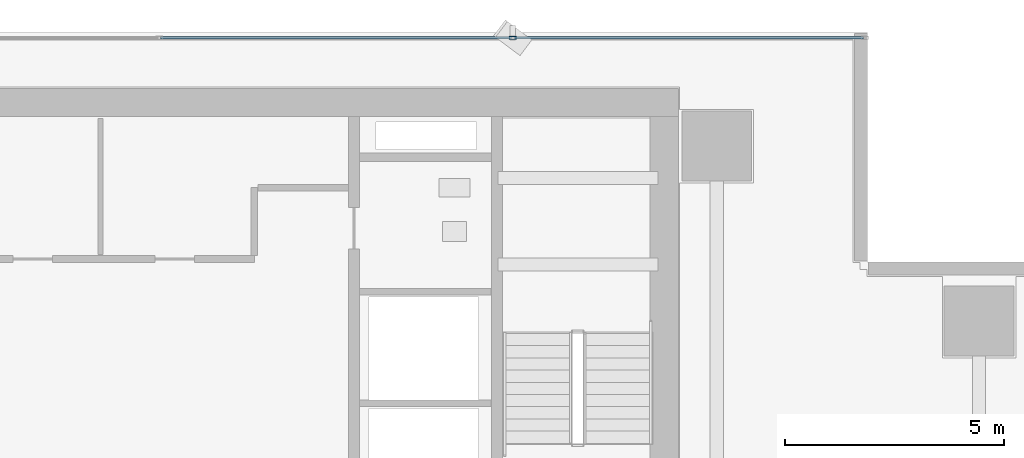
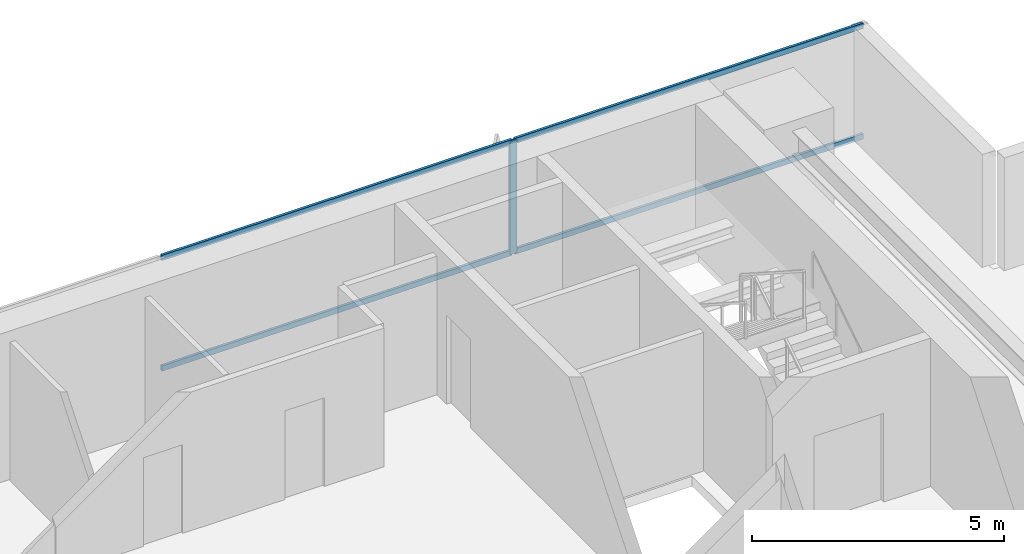
# One storey, part 25 of 36: 5 members, 1 element without a shape of its own.
"""IFC4 building model written with IfcOpenShell, lengths in metres."""

from ifc_helpers import new_model, si_unit, direction, frame, origin, origin_2d, place, context, subcontext, project, spatial, hollow_rectangle, extrude, source, transform, mapped, material, layer, layer_set, material_profile, profile_set, type_object, element, aggregate, save


model = new_model("IFC4")

# Units and contexts
model_context = context("Model", 3, precision=1e-05, world=origin(), true_north=direction((0.0, 1.0)))
body_context = subcontext(model_context, "Body", "Model", "MODEL_VIEW")
ifc_project = project(units=[si_unit("LENGTHUNIT", "METRE"), si_unit("AREAUNIT", "SQUARE_METRE"), si_unit("VOLUMEUNIT", "CUBIC_METRE"), si_unit("PLANEANGLEUNIT", "RADIAN"), si_unit("MASSUNIT", "GRAM", prefix="KILO")], contexts=[model_context])

# Site, building, storey
site_placement = place(None, origin())
site = spatial("IfcSite", under=ifc_project, at=site_placement, CompositionType="ELEMENT")
building_placement = place(site_placement, origin())
building = spatial("IfcBuilding", under=site, at=building_placement, Name="Sumidabori Civic Tower", CompositionType="ELEMENT")
storey_placement = place(building_placement, frame((0.0, 0.0, 92.0)))
storey = spatial("IfcBuildingStorey", under=building, at=storey_placement, Name="L23", CompositionType="ELEMENT", Elevation=92.0)

# Curtain wall, members
ifc_material = material(Name="Anodised Bronze Aluminium AW-6063-T6", Category="aluminium")
ifc_layer = layer(ifc_material, 0.179931640625, Name="Anodised Bronze Aluminium AW-6063-T6")
ifc_layer_set = layer_set([ifc_layer], Name="Anodised Bronze Aluminium AW-6063-T6")
curtain_wall_type = type_object("IfcCurtainWallType", Name="CW-SYS-3", PredefinedType="NOTDEFINED", material=ifc_layer_set)
curtain_wall_placement = place(storey_placement, origin())
curtain_wall = element("IfcCurtainWall", 1, at=curtain_wall_placement, inside=storey, type_object=curtain_wall_type, Name="Curtain Wall CW:L23:R07", PredefinedType="NOTDEFINED")
ifc_material_profile_1 = material_profile(ifc_material, hollow_rectangle(XDim=0.06494140625, YDim=0.159912109375, WallThickness=0.0048828125, at=origin_2d()), Name="ALU MULLION 160x65")
ifc_profile_set_1 = profile_set([ifc_material_profile_1], Name="Anodised Bronze Aluminium AW-6063-T6")
member_type_1 = type_object("IfcMemberType", Name="CW-MUL-160", PredefinedType="MULLION", material=ifc_profile_set_1)
shared_shape_1 = source(origin(), body_context, "Body", "SweptSolid", [
    extrude(hollow_rectangle(XDim=0.06494140625, YDim=0.159912109375, WallThickness=0.0048828125, at=origin_2d()), origin(), (0.0, 0.0, 1.0), 2.739990234375),
])
member_1_placement = place(storey_placement, frame((12.132080078125, 25.280029296875, 0.0), z_axis=(0.0, 0.0, 1.0), x_axis=(0.0, -1.0, 0.0)))
member_1 = element("IfcMember", 2, at=member_1_placement, type_object=member_type_1, Name="CW-3 mullion 2", PredefinedType="MULLION", context=body_context, shape_type="MappedRepresentation", body=[
    mapped(shared_shape_1, transform((0.0, 0.0, 0.0), x_axis=(1.0, 0.0, 0.0), y_axis=(0.0, 1.0, 0.0), z_axis=(0.0, 0.0, 1.0), scale=1.0)),
])
ifc_material_profile_2 = material_profile(ifc_material, hollow_rectangle(XDim=0.06005859375, YDim=0.1298828125, WallThickness=0.0048828125, at=origin_2d()), Name="ALU TRANSOM 130x60")
ifc_profile_set_2 = profile_set([ifc_material_profile_2], Name="Anodised Bronze Aluminium AW-6063-T6")
member_type_2 = type_object("IfcMemberType", Name="CW-TRN-130", PredefinedType="USERDEFINED", material=ifc_profile_set_2)
shared_shape_2 = source(origin(), body_context, "Body", "SweptSolid", [
    extrude(hollow_rectangle(XDim=0.06005859375, YDim=0.1298828125, WallThickness=0.0048828125, at=origin_2d()), origin(), (0.0, 0.0, 1.0), 7.990478515625),
])
member_2_placement = place(storey_placement, frame((20.155029296875, 25.280029296875, 0.030029296875), z_axis=(-1.0, 0.0, 0.0), x_axis=(0.0, -1.0, 0.0)))
member_2 = element("IfcMember", 3, at=member_2_placement, type_object=member_type_2, Name="CW-3 transom 1.1", ObjectType="TRANSOM", PredefinedType="USERDEFINED", context=body_context, shape_type="MappedRepresentation", body=[
    mapped(shared_shape_2, transform((0.0, 0.0, 0.0), x_axis=(1.0, 0.0, 0.0), y_axis=(0.0, 1.0, 0.0), z_axis=(0.0, 0.0, 1.0), scale=1.0)),
])
member_3_placement = place(storey_placement, frame((20.155029296875, 25.280029296875, 2.7099609375), z_axis=(-1.0, 0.0, 0.0), x_axis=(0.0, -1.0, 0.0)))
member_3 = element("IfcMember", 4, at=member_3_placement, type_object=member_type_2, Name="CW-3 transom 1.2", ObjectType="TRANSOM", PredefinedType="USERDEFINED", context=body_context, shape_type="MappedRepresentation", body=[
    mapped(shared_shape_2, transform((0.0, 0.0, 0.0), x_axis=(1.0, 0.0, 0.0), y_axis=(0.0, 1.0, 0.0), z_axis=(0.0, 0.0, 1.0), scale=1.0)),
])
shared_shape_3 = source(origin(), body_context, "Body", "SweptSolid", [
    extrude(hollow_rectangle(XDim=0.06005859375, YDim=0.1298828125, WallThickness=0.0048828125, at=origin_2d()), origin(), (0.0, 0.0, 1.0), 8.023193359375),
])
member_4_placement = place(storey_placement, frame((12.099609375, 25.280029296875, 0.030029296875), z_axis=(-1.0, 0.0, 0.0), x_axis=(0.0, -1.0, 0.0)))
member_4 = element("IfcMember", 5, at=member_4_placement, type_object=member_type_2, Name="CW-3 transom 2.1", ObjectType="TRANSOM", PredefinedType="USERDEFINED", context=body_context, shape_type="MappedRepresentation", body=[
    mapped(shared_shape_3, transform((0.0, 0.0, 0.0), x_axis=(1.0, 0.0, 0.0), y_axis=(0.0, 1.0, 0.0), z_axis=(0.0, 0.0, 1.0), scale=1.0)),
])
member_5_placement = place(storey_placement, frame((12.099609375, 25.280029296875, 2.7099609375), z_axis=(-1.0, 0.0, 0.0), x_axis=(0.0, -1.0, 0.0)))
member_5 = element("IfcMember", 6, at=member_5_placement, type_object=member_type_2, Name="CW-3 transom 2.2", ObjectType="TRANSOM", PredefinedType="USERDEFINED", context=body_context, shape_type="MappedRepresentation", body=[
    mapped(shared_shape_3, transform((0.0, 0.0, 0.0), x_axis=(1.0, 0.0, 0.0), y_axis=(0.0, 1.0, 0.0), z_axis=(0.0, 0.0, 1.0), scale=1.0)),
])
aggregate(curtain_wall, [member_1, member_2, member_3, member_4, member_5])

save(model, "model.ifc")
